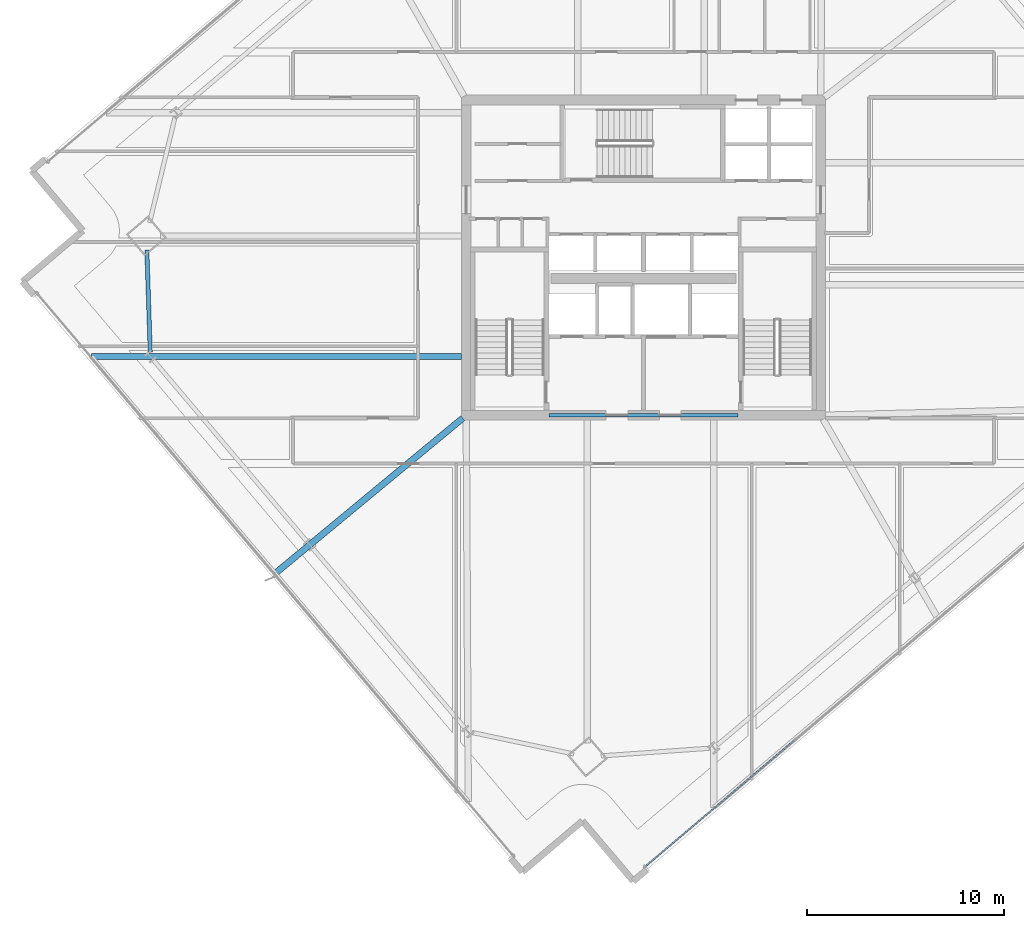
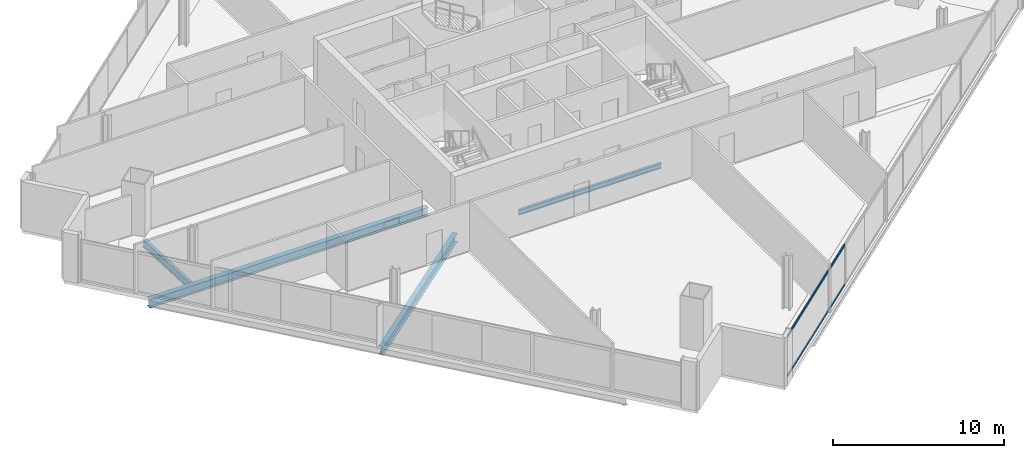
# One storey, part 7 of 34: 4 beams, 2 members, 1 element without a shape of its own.
"""IFC4 building model written with IfcOpenShell, lengths in metres."""

from ifc_helpers import new_model, si_unit, direction, frame, origin, origin_2d, place, context, subcontext, project, spatial, hollow_rectangle, i_section, extrude, material, material_profile, profile_set, type_object, element, aggregate, save


model = new_model("IFC4")

# Units and contexts
model_context = context("Model", 3, precision=1e-05, world=origin(), true_north=direction((0.0, 1.0)))
body_context = subcontext(model_context, "Body", "Model", "MODEL_VIEW")
ifc_project = project(units=[si_unit("LENGTHUNIT", "METRE"), si_unit("AREAUNIT", "SQUARE_METRE"), si_unit("VOLUMEUNIT", "CUBIC_METRE"), si_unit("PLANEANGLEUNIT", "RADIAN"), si_unit("MASSUNIT", "GRAM", prefix="KILO")], contexts=[model_context])

# Site, building, storey
site_placement = place(None, origin())
site = spatial("IfcSite", under=ifc_project, at=site_placement, CompositionType="ELEMENT")
building_placement = place(site_placement, origin())
building = spatial("IfcBuilding", under=site, at=building_placement, Name="Haldenkirk Collegiate Tower", CompositionType="ELEMENT")
storey_placement = place(building_placement, frame((0.0, 0.0, 163.199951171875)))
storey = spatial("IfcBuildingStorey", under=building, at=storey_placement, Name="L40", CompositionType="ELEMENT", Elevation=163.199951171875)

# Beams
ifc_material_1 = material(Name="Steel ASTM A992 Grade 50", Category="steel")
ifc_material_profile_1 = material_profile(ifc_material_1, i_section(OverallWidth=0.324951171875, OverallDepth=0.615966796875, WebThickness=0.013916015625, FlangeThickness=0.021484375, at=origin_2d()), Name="W24X117")
ifc_profile_set_1 = profile_set([ifc_material_profile_1], Name="Steel ASTM A992 Grade 50")
beam_type_1 = type_object("IfcBeamType", Name="BM-GIRDER-W24X117", PredefinedType="BEAM", material=ifc_profile_set_1)
beam_1_placement = place(storey_placement, frame((7.976318359375, 20.9833984375, -0.597900390625), z_axis=(1.0, 0.0, 0.0), x_axis=(0.0, 1.0, 0.0)))
element("IfcBeam", 1, at=beam_1_placement, inside=storey, type_object=beam_type_1, Name="L40 primary floor girder 14", PredefinedType="BEAM", context=body_context, shape_type="SweptSolid", body=[
    extrude(i_section(OverallWidth=0.324951171875, OverallDepth=0.615966796875, WebThickness=0.013916015625, FlangeThickness=0.021484375, at=origin_2d()), origin(), (0.0, 0.0, 1.0), 18.793701171875),
])
beam_2_placement = place(storey_placement, frame((17.298095703125, 9.971923828125, -0.597900390625), z_axis=(0.770429439932, 0.637525276429, 0.0), x_axis=(-0.637525276429, 0.770429439932, 0.0)))
element("IfcBeam", 2, at=beam_2_placement, inside=storey, type_object=beam_type_1, Name="L40 primary floor girder 15", PredefinedType="BEAM", context=body_context, shape_type="SweptSolid", body=[
    extrude(i_section(OverallWidth=0.324951171875, OverallDepth=0.615966796875, WebThickness=0.013916015625, FlangeThickness=0.021484375, at=origin_2d()), origin(), (0.0, 0.0, 1.0), 12.36279296875),
])
ifc_material_profile_2 = material_profile(ifc_material_1, i_section(OverallWidth=0.1708984375, OverallDepth=0.35595703125, WebThickness=0.007080078125, FlangeThickness=0.01171875, at=origin_2d()), Name="W14X34")
ifc_profile_set_2 = profile_set([ifc_material_profile_2], Name="Steel ASTM A992 Grade 50")
beam_type_2 = type_object("IfcBeamType", Name="BM-LINTEL-W14X34", PredefinedType="LINTEL", material=ifc_profile_set_2)
beam_3_placement = place(storey_placement, frame((31.199951171875, 18.0, -0.468017578125), z_axis=(1.0, 0.0, 0.0), x_axis=(0.0, 1.0, 0.0)))
element("IfcBeam", 3, at=beam_3_placement, inside=storey, type_object=beam_type_2, Name="L40 south core coupling lintel", PredefinedType="LINTEL", context=body_context, shape_type="SweptSolid", body=[
    extrude(i_section(OverallWidth=0.1708984375, OverallDepth=0.35595703125, WebThickness=0.007080078125, FlangeThickness=0.01171875, at=origin_2d()), origin(), (0.0, 0.0, 1.0), 9.60009765625),
])
ifc_material_profile_3 = material_profile(ifc_material_1, i_section(OverallWidth=0.2119140625, OverallDepth=0.5439453125, WebThickness=0.01318359375, FlangeThickness=0.021240234375, at=origin_2d()), Name="W21X83")
ifc_profile_set_3 = profile_set([ifc_material_profile_3], Name="Steel ASTM A992 Grade 50")
beam_type_3 = type_object("IfcBeamType", Name="BM-SPANDREL-W21X83", PredefinedType="SPANDREL", material=ifc_profile_set_3)
beam_4_placement = place(storey_placement, frame((10.7841796875, 26.399169921875, -0.56201171875), z_axis=(0.033072037576, -0.999452970545, 0.0), x_axis=(0.999452970545, 0.033072037576, 0.0)))
element("IfcBeam", 4, at=beam_4_placement, inside=storey, type_object=beam_type_3, Name="L40 perimeter spandrel beam 13", PredefinedType="SPANDREL", context=body_context, shape_type="SweptSolid", body=[
    extrude(i_section(OverallWidth=0.2119140625, OverallDepth=0.5439453125, WebThickness=0.01318359375, FlangeThickness=0.021240234375, at=origin_2d()), origin(), (0.0, 0.0, 1.0), 5.189697265625),
])

# Curtain wall, members
ifc_material_2 = material(Name="Anodised architectural bronze aluminium", Category="aluminium")
curtain_wall_type = type_object("IfcCurtainWallType", Name="CW-SYS2-CONCAVE", PredefinedType="USERDEFINED", material=ifc_material_2)
curtain_wall_placement = place(storey_placement, origin())
curtain_wall = element("IfcCurtainWall", 5, at=curtain_wall_placement, inside=storey, type_object=curtain_wall_type, Name="L40 South concave recessed bronze-anodised curtain wall", ObjectType="UNITISED CURTAIN WALL", PredefinedType="USERDEFINED")
ifc_material_profile_4 = material_profile(ifc_material_2, hollow_rectangle(XDim=0.074951171875, YDim=0.159912109375, WallThickness=0.0048828125, at=origin_2d()), Name="CW-TRN-02")
ifc_profile_set_4 = profile_set([ifc_material_profile_4], Name="Anodised architectural bronze aluminium")
member_type = type_object("IfcMemberType", Name="CW-TRN-02", PredefinedType="USERDEFINED", material=ifc_profile_set_4)
member_1_placement = place(storey_placement, frame((43.6357421875, 1.484130859375, 0.03759765625), z_axis=(-0.763222882934, -0.646135303916, 0.0), x_axis=(0.646135303916, -0.763222882934, 0.0)))
member_1 = element("IfcMember", 6, at=member_1_placement, type_object=member_type, Name="CW-02 transom 4.1", ObjectType="TRANSOM", PredefinedType="USERDEFINED", context=body_context, shape_type="SweptSolid", body=[
    extrude(hollow_rectangle(XDim=0.074951171875, YDim=0.159912109375, WallThickness=0.0048828125, at=origin_2d()), origin(), (0.0, 0.0, 1.0), 9.862548828125),
])
member_2_placement = place(storey_placement, frame((43.6357421875, 1.484130859375, 2.87353515625), z_axis=(-0.763222882934, -0.646135303916, 0.0), x_axis=(0.646135303916, -0.763222882934, 0.0)))
member_2 = element("IfcMember", 7, at=member_2_placement, type_object=member_type, Name="CW-02 transom 4.2", ObjectType="TRANSOM", PredefinedType="USERDEFINED", context=body_context, shape_type="SweptSolid", body=[
    extrude(hollow_rectangle(XDim=0.074951171875, YDim=0.159912109375, WallThickness=0.0048828125, at=origin_2d()), origin(), (0.0, 0.0, 1.0), 9.862548828125),
])
aggregate(curtain_wall, [member_1, member_2])

save(model, "model.ifc")
